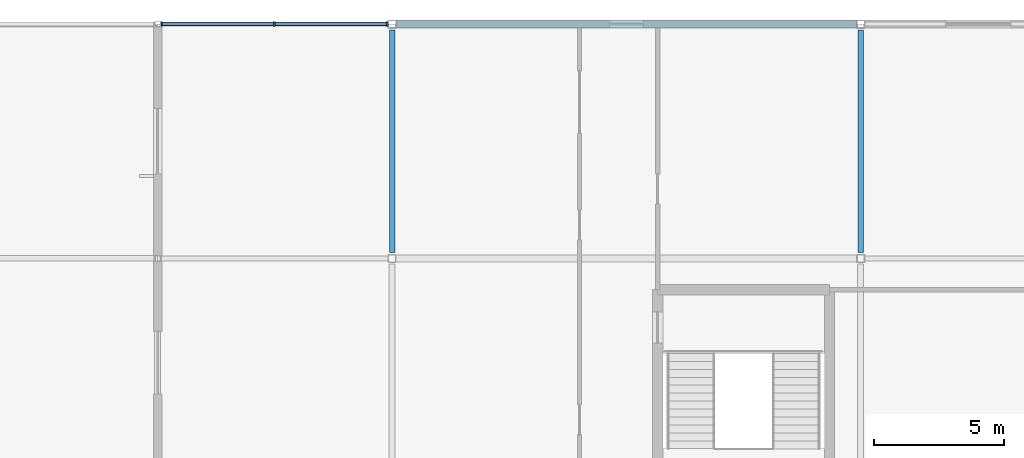
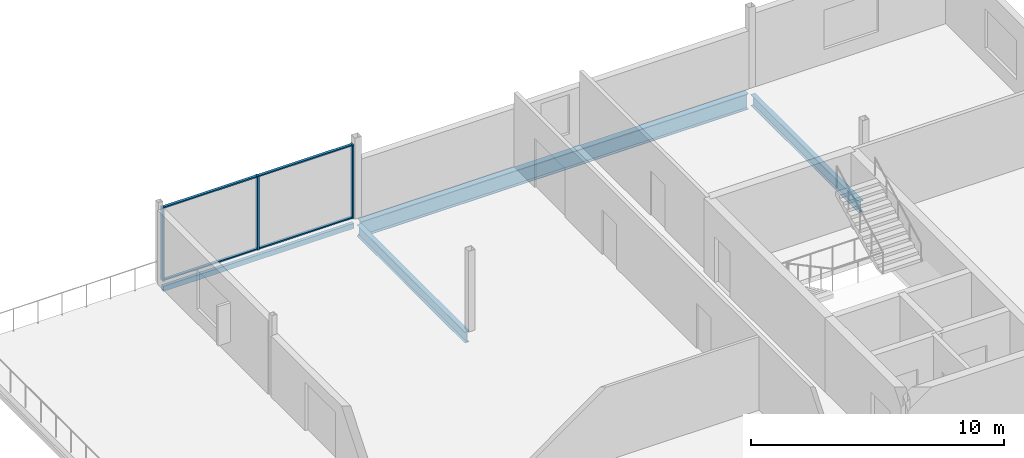
# One storey, part 25 of 55: 7 members, 4 beams, 1 element without a shape of its own.
"""IFC4 building model written with IfcOpenShell, lengths in metres."""

from ifc_helpers import new_model, si_unit, direction, frame, origin, origin_2d, place, context, subcontext, project, spatial, rectangle, hollow_rectangle, i_section, extrude, material, layer, layer_set, material_profile, profile_set, type_object, element, aggregate, save


model = new_model("IFC4")

# Units and contexts
model_context = context("Model", 3, precision=1e-05, world=origin(), true_north=direction((0.0, 1.0)))
body_context = subcontext(model_context, "Body", "Model", "MODEL_VIEW")
ifc_project = project(units=[si_unit("LENGTHUNIT", "METRE"), si_unit("AREAUNIT", "SQUARE_METRE"), si_unit("VOLUMEUNIT", "CUBIC_METRE"), si_unit("PLANEANGLEUNIT", "RADIAN"), si_unit("MASSUNIT", "GRAM", prefix="KILO")], contexts=[model_context])

# Site, building, storey
site_placement = place(None, origin())
site = spatial("IfcSite", under=ifc_project, at=site_placement, CompositionType="ELEMENT")
building_placement = place(site_placement, origin())
building = spatial("IfcBuilding", under=site, at=building_placement, Name="Kisiwana Market Hall", CompositionType="ELEMENT")
storey_placement = place(building_placement, frame((0.0, 0.0, 37.800048828125)))
storey = spatial("IfcBuildingStorey", under=building, at=storey_placement, Name="L08", CompositionType="ELEMENT", Elevation=37.800048828125)

# Beams
ifc_material_1 = material(Name="Steel S355", Category="steel")
ifc_material_profile_1 = material_profile(ifc_material_1, i_section(OverallWidth=0.209228515625, OverallDepth=0.533203125, WebThickness=0.010009765625, FlangeThickness=0.015625, at=origin_2d()), Name="UB 533x210x92")
ifc_profile_set_1 = profile_set([ifc_material_profile_1], Name="Steel S355")
beam_type_1 = type_object("IfcBeamType", Name="BM-GIRD-UB533", PredefinedType="BEAM", material=ifc_profile_set_1)
for number, where, z_axis, x_axis, name in (
    (1, (171.0, 102.220947265625, -0.51171875), (0.0, 1.0, 0.0), (-1.0, 0.0, 0.0), "Primary girder B-2103"),
    (2, (189.0, 102.220947265625, -0.51171875), (0.0, 1.0, 0.0), (-1.0, 0.0, 0.0), "Primary girder B-2109"),
):
    element("IfcBeam", number, at=place(storey_placement, frame(where, z_axis=z_axis, x_axis=x_axis)), inside=storey, type_object=beam_type_1, Name=name, PredefinedType="BEAM", context=body_context, shape_type="SweptSolid", body=[
        extrude(i_section(OverallWidth=0.209228515625, OverallDepth=0.533203125, WebThickness=0.010009765625, FlangeThickness=0.015625, at=origin_2d()), origin(), (0.0, 0.0, 1.0), 8.55810546875),
    ])
ifc_material_2 = material(Name="Steel S355", Category="steel")
ifc_material_profile_2 = material_profile(ifc_material_2, i_section(OverallWidth=0.2666015625, OverallDepth=0.76220703125, WebThickness=0.014404296875, FlangeThickness=0.021484375, at=origin_2d()), Name="UB 762x267x173")
ifc_profile_set_2 = profile_set([ifc_material_profile_2], Name="Steel S355")
beam_type_2 = type_object("IfcBeamType", Name="BM-GIRD-UB762", PredefinedType="BEAM", material=ifc_profile_set_2)
beam_1_placement = place(storey_placement, frame((171.14599609375, 111.0, -0.626220703125), z_axis=(1.0, 0.0, 0.0), x_axis=(0.0, 1.0, 0.0)))
element("IfcBeam", 3, at=beam_1_placement, inside=storey, type_object=beam_type_2, Name="Floor beam B-2190", PredefinedType="BEAM", context=body_context, shape_type="SweptSolid", body=[
    extrude(i_section(OverallWidth=0.2666015625, OverallDepth=0.76220703125, WebThickness=0.014404296875, FlangeThickness=0.021484375, at=origin_2d()), origin(), (0.0, 0.0, 1.0), 17.7080078125),
])
ifc_material_3 = material(Name="Steel S355", Category="steel")
ifc_material_profile_3 = material_profile(ifc_material_3, hollow_rectangle(XDim=0.14990234375, YDim=0.25, WallThickness=0.010009765625, at=origin_2d()), Name="RHS 250x150x10.0")
ifc_profile_set_3 = profile_set([ifc_material_profile_3], Name="Steel S355")
beam_type_3 = type_object("IfcBeamType", Name="BM-SPAN-RHS250", PredefinedType="SPANDREL", material=ifc_profile_set_3)
beam_2_placement = place(storey_placement, frame((162.14599609375, 111.0, -0.3701171875), z_axis=(1.0, 0.0, 0.0), x_axis=(0.0, 1.0, 0.0)))
element("IfcBeam", 4, at=beam_2_placement, inside=storey, type_object=beam_type_3, Name="Floor beam B-2189", PredefinedType="SPANDREL", context=body_context, shape_type="SweptSolid", body=[
    extrude(hollow_rectangle(XDim=0.14990234375, YDim=0.25, WallThickness=0.010009765625, at=origin_2d()), origin(), (0.0, 0.0, 1.0), 8.7080078125),
])

# Curtain wall, members
ifc_material_4 = material(Name="Double-glazed solar-control low-E IGU", Category="glass")
ifc_layer = layer(ifc_material_4, 0.159912109375)
ifc_layer_set = layer_set([ifc_layer], Name="CW-ZNB-EW-8000")
curtain_wall_type = type_object("IfcCurtainWallType", Name="CW-ZNB-EW-8000", PredefinedType="USERDEFINED", material=ifc_layer_set)
curtain_wall_placement = place(storey_placement, origin())
curtain_wall = element("IfcCurtainWall", 5, at=curtain_wall_placement, inside=storey, type_object=curtain_wall_type, Name="Unitised curtain wall CW-240 (L08)", ObjectType="UNITISED CURTAIN WALL", PredefinedType="USERDEFINED")
ifc_material_5 = material(Name="Aluminium alloy 6063-T6", Category="aluminium")
ifc_material_profile_4 = material_profile(ifc_material_5, rectangle(XDim=0.070068359375, YDim=0.179931640625, at=origin_2d()), Name="ALU MULLION 70x180")
ifc_profile_set_4 = profile_set([ifc_material_profile_4], Name="Aluminium alloy 6063-T6")
member_type_1 = type_object("IfcMemberType", Name="CW-MULL-70x180", PredefinedType="MULLION", material=ifc_profile_set_4)
member_1_placement = place(storey_placement, frame((162.14501953125, 111.0, 0.0), z_axis=(0.0, 0.0, 1.0), x_axis=(1.0, 0.0, 0.0)))
member_1 = element("IfcMember", 6, at=member_1_placement, type_object=member_type_1, Name="CW-240 mullion 1", PredefinedType="MULLION", context=body_context, shape_type="SweptSolid", body=[
    extrude(rectangle(XDim=0.070068359375, YDim=0.179931640625, at=origin_2d()), origin(), (0.0, 0.0, 1.0), 3.56494140625),
])
member_2_placement = place(storey_placement, frame((166.47998046875, 111.0, 0.0), z_axis=(0.0, 0.0, 1.0), x_axis=(1.0, 0.0, 0.0)))
member_2 = element("IfcMember", 7, at=member_2_placement, type_object=member_type_1, Name="CW-240 mullion 2", PredefinedType="MULLION", context=body_context, shape_type="SweptSolid", body=[
    extrude(rectangle(XDim=0.070068359375, YDim=0.179931640625, at=origin_2d()), origin(), (0.0, 0.0, 1.0), 3.56494140625),
])
member_3_placement = place(storey_placement, frame((170.81494140625, 111.0, 0.0), z_axis=(0.0, 0.0, 1.0), x_axis=(1.0, 0.0, 0.0)))
member_3 = element("IfcMember", 8, at=member_3_placement, type_object=member_type_1, Name="CW-240 mullion 3", PredefinedType="MULLION", context=body_context, shape_type="SweptSolid", body=[
    extrude(rectangle(XDim=0.070068359375, YDim=0.179931640625, at=origin_2d()), origin(), (0.0, 0.0, 1.0), 3.56494140625),
])
ifc_material_6 = material(Name="Aluminium alloy 6063-T6", Category="aluminium")
ifc_material_profile_5 = material_profile(ifc_material_6, rectangle(XDim=0.1201171875, YDim=0.06005859375, at=origin_2d()), Name="ALU TRANSOM 60x120")
ifc_profile_set_5 = profile_set([ifc_material_profile_5], Name="Aluminium alloy 6063-T6")
member_type_2 = type_object("IfcMemberType", Name="CW-TRAN-60x120", PredefinedType="USERDEFINED", material=ifc_profile_set_5)
member_4_placement = place(storey_placement, frame((162.179931640625, 111.0, 0.030029296875), z_axis=(1.0, 0.0, 0.0), x_axis=(0.0, 1.0, 0.0)))
member_4 = element("IfcMember", 9, at=member_4_placement, type_object=member_type_2, Name="CW-240 transom 1.1", ObjectType="TRANSOM", PredefinedType="USERDEFINED", context=body_context, shape_type="SweptSolid", body=[
    extrude(rectangle(XDim=0.1201171875, YDim=0.06005859375, at=origin_2d()), origin(), (0.0, 0.0, 1.0), 4.26513671875),
])
member_5_placement = place(storey_placement, frame((162.179931640625, 111.0, 3.534912109375), z_axis=(1.0, 0.0, 0.0), x_axis=(0.0, 1.0, 0.0)))
member_5 = element("IfcMember", 10, at=member_5_placement, type_object=member_type_2, Name="CW-240 transom 1.2", ObjectType="TRANSOM", PredefinedType="USERDEFINED", context=body_context, shape_type="SweptSolid", body=[
    extrude(rectangle(XDim=0.1201171875, YDim=0.06005859375, at=origin_2d()), origin(), (0.0, 0.0, 1.0), 4.26513671875),
])
member_6_placement = place(storey_placement, frame((166.514892578125, 111.0, 0.030029296875), z_axis=(1.0, 0.0, 0.0), x_axis=(0.0, 1.0, 0.0)))
member_6 = element("IfcMember", 11, at=member_6_placement, type_object=member_type_2, Name="CW-240 transom 2.1", ObjectType="TRANSOM", PredefinedType="USERDEFINED", context=body_context, shape_type="SweptSolid", body=[
    extrude(rectangle(XDim=0.1201171875, YDim=0.06005859375, at=origin_2d()), origin(), (0.0, 0.0, 1.0), 4.26513671875),
])
member_7_placement = place(storey_placement, frame((166.514892578125, 111.0, 3.534912109375), z_axis=(1.0, 0.0, 0.0), x_axis=(0.0, 1.0, 0.0)))
member_7 = element("IfcMember", 12, at=member_7_placement, type_object=member_type_2, Name="CW-240 transom 2.2", ObjectType="TRANSOM", PredefinedType="USERDEFINED", context=body_context, shape_type="SweptSolid", body=[
    extrude(rectangle(XDim=0.1201171875, YDim=0.06005859375, at=origin_2d()), origin(), (0.0, 0.0, 1.0), 4.26513671875),
])
aggregate(curtain_wall, [member_1, member_2, member_3, member_4, member_5, member_6, member_7])

save(model, "model.ifc")
